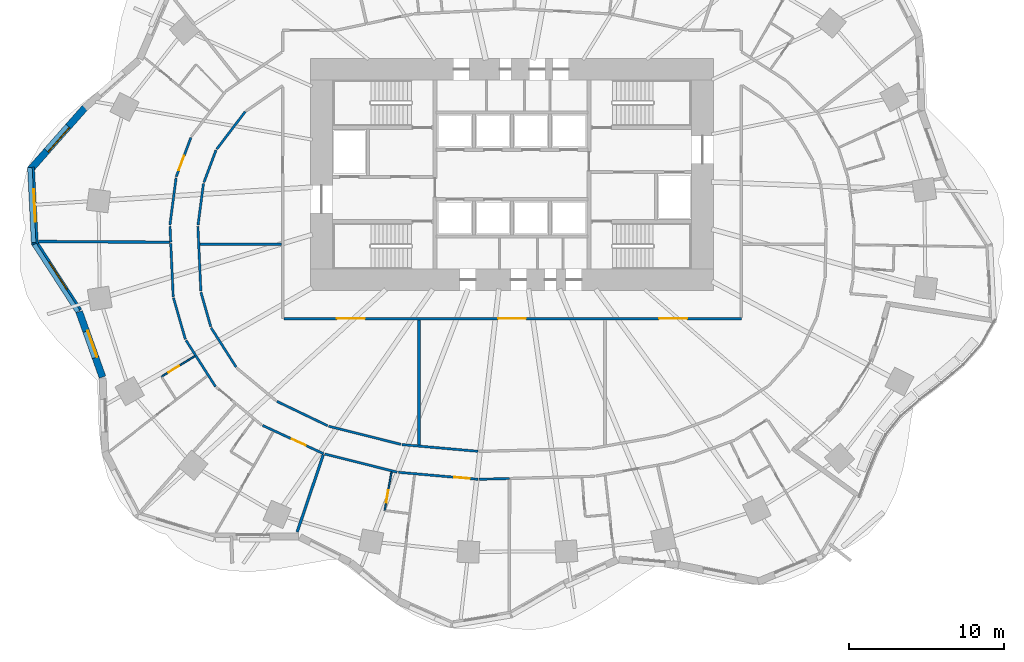
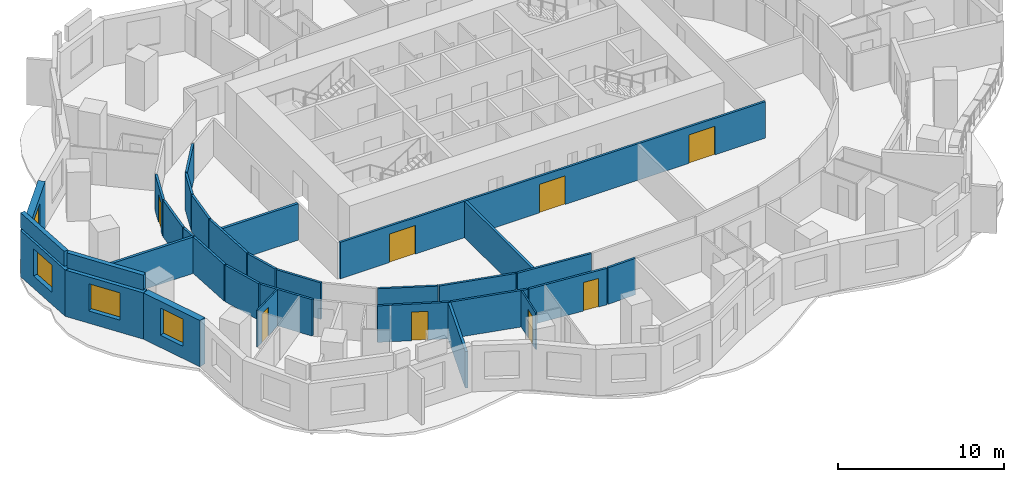
# One storey, part 5 of 14: 32 walls, 8 doors, 4 windows, 12 openings.
"""IFC4 building model written with IfcOpenShell, lengths in metres."""

from ifc_helpers import new_model, si_unit, direction, frame, frame_2d, origin, place, context, subcontext, project, spatial, rectangle, extrude, material, layer, layer_set, type_object, element, fill, save


model = new_model("IFC4")

# Units and contexts
model_context = context("Model", 3, precision=1e-05, world=origin(), true_north=direction((0.0, 1.0)))
body_context = subcontext(model_context, "Body", "Model", "MODEL_VIEW")
ifc_project = project(units=[si_unit("LENGTHUNIT", "METRE"), si_unit("AREAUNIT", "SQUARE_METRE"), si_unit("VOLUMEUNIT", "CUBIC_METRE"), si_unit("PLANEANGLEUNIT", "RADIAN"), si_unit("MASSUNIT", "GRAM", prefix="KILO")], contexts=[model_context])

# Site, building, storey
site_placement = place(None, origin())
site = spatial("IfcSite", under=ifc_project, at=site_placement, CompositionType="ELEMENT")
building_placement = place(site_placement, origin())
building = spatial("IfcBuilding", under=site, at=building_placement, Name="Rubra Terraces Tower", CompositionType="ELEMENT")
storey_placement = place(building_placement, frame((0.0, 0.0, 62.699951171875)))
storey = spatial("IfcBuildingStorey", under=building, at=storey_placement, Name="L13", CompositionType="ELEMENT", Elevation=62.699951171875)

# Walls
ifc_material_1 = material(Name="Twin plasterboard on staggered steel stud, acoustic mineral wool", Category="steel")
ifc_layer_1 = layer(ifc_material_1, 0.175048828125)
ifc_layer_set_1 = layer_set([ifc_layer_1], Name="Twin plasterboard on staggered steel stud, acoustic mineral wool")
wall_type_1 = type_object("IfcWallType", Name="ACOUSTIC PARTY WALL 175", PredefinedType="PARTITIONING", material=ifc_layer_set_1)
wall_1_placement = place(storey_placement, frame((-30.5712890625, 0.17578125, 0.0), z_axis=(0.0, 0.0, 1.0), x_axis=(0.999984039808, -0.005649790199, 0.0)))
element("IfcWall", 1, at=wall_1_placement, inside=storey, type_object=wall_type_1, Name="PARTITION", PredefinedType="PARTITIONING", context=body_context, shape_type="SweptSolid", body=[
    extrude(rectangle(XDim=8.4697265625, YDim=0.175048828125, at=frame_2d((4.23486328125, 0.0))), origin(), (0.0, 0.0, 1.0), 2.679931640625),
])
wall_2_placement = place(storey_placement, frame((-13.86279296875, -18.57177734375, 0.0), z_axis=(0.0, 0.0, 1.0), x_axis=(0.32028005449, 0.947322905189, 0.0)))
element("IfcWall", 2, at=wall_2_placement, inside=storey, type_object=wall_type_1, Name="PARTITION", PredefinedType="PARTITIONING", context=body_context, shape_type="SweptSolid", body=[
    extrude(rectangle(XDim=5.255859375, YDim=0.175048828125, at=frame_2d((2.6279296875, 0.0))), origin(), (0.0, 0.0, 1.0), 2.679931640625),
])
wall_3_placement = place(storey_placement, frame((-6.0, -12.9541015625, 0.0), z_axis=(0.0, 0.0, 1.0), x_axis=(0.0, 1.0, 0.0)))
element("IfcWall", 3, at=wall_3_placement, inside=storey, type_object=wall_type_1, Name="PARTITION", PredefinedType="PARTITIONING", context=body_context, shape_type="SweptSolid", body=[
    extrude(rectangle(XDim=8.0791015625, YDim=0.175048828125, at=frame_2d((4.03955078125, 0.0))), origin(), (0.0, 0.0, 1.0), 2.679931640625),
])
wall_4_placement = place(storey_placement, frame((-20.14404296875, 0.0, 0.0), z_axis=(0.0, 0.0, 1.0), x_axis=(1.0, 0.0, 0.0)))
element("IfcWall", 4, at=wall_4_placement, inside=storey, type_object=wall_type_1, Name="PARTITION", PredefinedType="PARTITIONING", context=body_context, shape_type="SweptSolid", body=[
    extrude(rectangle(XDim=5.26904296875, YDim=0.175048828125, at=frame_2d((2.634521484375, 0.0))), origin(), (0.0, 0.0, 1.0), 2.679931640625),
])

# Wall, opening, window
ifc_material_2 = material(Name="Brick masonry red-brown", Category="masonry")
ifc_layer_2 = layer(ifc_material_2, 0.449951171875)
ifc_layer_set_2 = layer_set([ifc_layer_2], Name="Brick masonry red-brown")
wall_type_2 = type_object("IfcWallType", Name="Brick facade wall 450", PredefinedType="SOLIDWALL", material=ifc_layer_set_2)
wall_5_placement = place(storey_placement, frame((-27.560791015625, 8.81005859375, 0.0), z_axis=(0.0, 0.0, 1.0), x_axis=(-0.661706312809, -0.749763132989, 0.0)))
wall_5 = element("IfcWall", 5, at=wall_5_placement, inside=storey, type_object=wall_type_2, Name="Facade wall L13 bay 19", PredefinedType="SOLIDWALL", context=body_context, shape_type="SweptSolid", body=[
    extrude(rectangle(XDim=5.33984375, YDim=0.449951171875, at=frame_2d((2.669921875, 0.0))), origin(), (0.0, 0.0, 1.0), 3.400146484375),
])
opening_1_placement = place(wall_5_placement, frame((1.619873046875, 0.0, 0.89990234375)))
opening_1 = element("IfcOpeningElement", 6, at=opening_1_placement, cuts=wall_5, Name="Opening W1", PredefinedType="OPENING", context=body_context, shape_type="SweptSolid", body=[
    extrude(rectangle(XDim=2.10009765625, YDim=2.0, at=frame_2d((1.050048828125, 1.0))), frame((0.0, 0.23486328125, 0.0), z_axis=(0.0, -1.0, 0.0), x_axis=(1.0, 0.0, 0.0)), (0.0, 0.0, 1.0), 0.469970703125),
])
ifc_material_3 = material(Name="Clear glass in aluminium frame", Category="aluminium")
window_type_1 = type_object("IfcWindowType", Name="Fixed deep-set window 2100 x 2000", PartitioningType="SINGLE_PANEL", PredefinedType="WINDOW", material=ifc_material_3)
window_1_placement = place(opening_1_placement, origin())
window_1 = element("IfcWindow", 7, at=window_1_placement, inside=storey, type_object=window_type_1, Name="Window L13 bay 19", OverallHeight=2.0, OverallWidth=2.10009765625, PartitioningType="SINGLE_PANEL", PredefinedType="WINDOW", context=body_context, shape_type="SweptSolid", body=[
    extrude(rectangle(XDim=2.10009765625, YDim=2.0, at=frame_2d((1.050048828125, 1.0))), frame((0.0, 0.135009765625, 0.0), z_axis=(0.0, -1.0, 0.0), x_axis=(1.0, 0.0, 0.0)), (0.0, 0.0, 1.0), 0.06005859375),
])
fill(opening_1, window_1)

wall_6_placement = place(storey_placement, frame((-31.041259765625, 4.96337890625, 0.0), z_axis=(0.0, 0.0, 1.0), x_axis=(0.050222481563, -0.99873805492, 0.0)))
wall_6 = element("IfcWall", 8, at=wall_6_placement, inside=storey, type_object=wall_type_2, Name="Facade wall L13 bay 20", PredefinedType="SOLIDWALL", context=body_context, shape_type="SweptSolid", body=[
    extrude(rectangle(XDim=4.95849609375, YDim=0.449951171875, at=frame_2d((2.479248046875, 0.0))), origin(), (0.0, 0.0, 1.0), 3.400146484375),
])
opening_2_placement = place(wall_6_placement, frame((1.42919921875, 0.0, 0.89990234375)))
opening_2 = element("IfcOpeningElement", 9, at=opening_2_placement, cuts=wall_6, Name="Opening W1", PredefinedType="OPENING", context=body_context, shape_type="SweptSolid", body=[
    extrude(rectangle(XDim=2.10009765625, YDim=2.0, at=frame_2d((1.050048828125, 1.0))), frame((0.0, 0.23486328125, 0.0), z_axis=(0.0, -1.0, 0.0), x_axis=(1.0, 0.0, 0.0)), (0.0, 0.0, 1.0), 0.469970703125),
])
window_2_placement = place(opening_2_placement, origin())
window_2 = element("IfcWindow", 10, at=window_2_placement, inside=storey, type_object=window_type_1, Name="Window L13 bay 20", OverallHeight=2.0, OverallWidth=2.10009765625, PartitioningType="SINGLE_PANEL", PredefinedType="WINDOW", context=body_context, shape_type="SweptSolid", body=[
    extrude(rectangle(XDim=2.10009765625, YDim=2.0, at=frame_2d((1.050048828125, 1.0))), frame((0.0, 0.135009765625, 0.0), z_axis=(0.0, -1.0, 0.0), x_axis=(1.0, 0.0, 0.0)), (0.0, 0.0, 1.0), 0.06005859375),
])
fill(opening_2, window_2)

wall_7_placement = place(storey_placement, frame((-30.8251953125, 0.117431640625, 0.0), z_axis=(0.0, 0.0, 1.0), x_axis=(0.543975629516, -0.839101015666, 0.0)))
wall_7 = element("IfcWall", 11, at=wall_7_placement, inside=storey, type_object=wall_type_2, Name="Facade wall L13 bay 21", PredefinedType="SOLIDWALL", context=body_context, shape_type="SweptSolid", body=[
    extrude(rectangle(XDim=5.281005859375, YDim=0.449951171875, at=frame_2d((2.640625, 0.0))), origin(), (0.0, 0.0, 1.0), 3.400146484375),
])
opening_3_placement = place(wall_7_placement, frame((1.590576171875, 0.0, 0.89990234375)))
opening_3 = element("IfcOpeningElement", 12, at=opening_3_placement, cuts=wall_7, Name="Opening W1", PredefinedType="OPENING", context=body_context, shape_type="SweptSolid", body=[
    extrude(rectangle(XDim=2.10009765625, YDim=2.0, at=frame_2d((1.050048828125, 1.0))), frame((0.0, 0.23486328125, 0.0), z_axis=(0.0, -1.0, 0.0), x_axis=(1.0, 0.0, 0.0)), (0.0, 0.0, 1.0), 0.469970703125),
])
window_3_placement = place(opening_3_placement, origin())
window_3 = element("IfcWindow", 13, at=window_3_placement, inside=storey, type_object=window_type_1, Name="Window L13 bay 21", OverallHeight=2.0, OverallWidth=2.10009765625, PartitioningType="SINGLE_PANEL", PredefinedType="WINDOW", context=body_context, shape_type="SweptSolid", body=[
    extrude(rectangle(XDim=2.10009765625, YDim=2.0, at=frame_2d((1.050048828125, 1.0))), frame((0.0, 0.135009765625, 0.0), z_axis=(0.0, -1.0, 0.0), x_axis=(1.0, 0.0, 0.0)), (0.0, 0.0, 1.0), 0.06005859375),
])
fill(opening_3, window_3)

wall_8_placement = place(storey_placement, frame((-27.9326171875, -4.35595703125, 0.0), z_axis=(0.0, 0.0, 1.0), x_axis=(0.335746005454, -0.941952557097, 0.0)))
wall_8 = element("IfcWall", 14, at=wall_8_placement, inside=storey, type_object=wall_type_2, Name="Facade wall L13 bay 22", PredefinedType="SOLIDWALL", context=body_context, shape_type="SweptSolid", body=[
    extrude(rectangle(XDim=4.47998046875, YDim=0.449951171875, at=frame_2d((2.239990234375, 0.0))), origin(), (0.0, 0.0, 1.0), 3.400146484375),
])
opening_4_placement = place(wall_8_placement, frame((1.340087890625, 0.0, 0.89990234375)))
opening_4 = element("IfcOpeningElement", 15, at=opening_4_placement, cuts=wall_8, Name="Opening W6", PredefinedType="OPENING", context=body_context, shape_type="SweptSolid", body=[
    extrude(rectangle(XDim=1.800048828125, YDim=2.0, at=frame_2d((0.89990234375, 1.0))), frame((0.0, 0.23486328125, 0.0), z_axis=(0.0, -1.0, 0.0), x_axis=(1.0, 0.0, 0.0)), (0.0, 0.0, 1.0), 0.469970703125),
])
window_type_2 = type_object("IfcWindowType", Name="Fixed deep-set window at wind fin 1800 x 2000", PartitioningType="SINGLE_PANEL", PredefinedType="WINDOW", material=ifc_material_3)
window_4_placement = place(opening_4_placement, origin())
window_4 = element("IfcWindow", 16, at=window_4_placement, inside=storey, type_object=window_type_2, Name="Window L13 bay 22", OverallHeight=2.0, OverallWidth=1.800048828125, PartitioningType="SINGLE_PANEL", PredefinedType="WINDOW", context=body_context, shape_type="SweptSolid", body=[
    extrude(rectangle(XDim=1.800048828125, YDim=2.0, at=frame_2d((0.89990234375, 1.0))), frame((0.0, 0.135009765625, 0.0), z_axis=(0.0, -1.0, 0.0), x_axis=(1.0, 0.0, 0.0)), (0.0, 0.0, 1.0), 0.06005859375),
])
fill(opening_4, window_4)

# Walls
ifc_layer_3 = layer(ifc_material_2, 0.300048828125)
ifc_layer_set_3 = layer_set([ifc_layer_3], Name="Brick masonry red-brown")
wall_type_3 = type_object("IfcWallType", Name="Brick parapet 300", PredefinedType="PARAPET", material=ifc_layer_set_3)
wall_9_placement = place(storey_placement, frame((-31.1162109375, 4.95947265625, 3.60009765625), z_axis=(0.0, 0.0, 1.0), x_axis=(0.05021140618, -0.998738611795, 0.0)))
element("IfcWall", 17, at=wall_9_placement, inside=storey, type_object=wall_type_3, Name="Parapet L13 bay 20", PredefinedType="PARAPET", context=body_context, shape_type="SweptSolid", body=[
    extrude(rectangle(XDim=4.84765625, YDim=0.300048828125, at=frame_2d((2.423828125, 0.0))), origin(), (0.0, 0.0, 1.0), 1.099853515625),
])
wall_10_placement = place(storey_placement, frame((-30.8310546875, -0.01123046875, 3.60009765625), z_axis=(0.0, 0.0, 1.0), x_axis=(0.543918219167, -0.839138231079, 0.0)))
element("IfcWall", 18, at=wall_10_placement, inside=storey, type_object=wall_type_3, Name="Parapet L13 bay 21", PredefinedType="PARAPET", context=body_context, shape_type="SweptSolid", body=[
    extrude(rectangle(XDim=5.17431640625, YDim=0.300048828125, at=frame_2d((2.587158203125, 0.0))), origin(), (0.0, 0.0, 1.0), 1.099853515625),
])

# Wall, opening, door
ifc_material_4 = material(Name="Plasterboard on steel stud, mineral wool infill", Category="steel")
ifc_layer_4 = layer(ifc_material_4, 0.14990234375)
ifc_layer_set_4 = layer_set([ifc_layer_4], Name="Plasterboard on steel stud, mineral wool infill")
wall_type_4 = type_object("IfcWallType", Name="CORRIDOR PARTITION 150", PredefinedType="PARTITIONING", material=ifc_layer_set_4)
wall_11_placement = place(storey_placement, frame((-20.719970703125, 6.884521484375, 0.0), z_axis=(0.0, 0.0, 1.0), x_axis=(-0.351520142875, -0.936180318717, 0.0)))
wall_11 = element("IfcWall", 19, at=wall_11_placement, inside=storey, type_object=wall_type_4, Name="PARTITION", PredefinedType="PARTITIONING", context=body_context, shape_type="SweptSolid", body=[
    extrude(rectangle(XDim=2.697509765625, YDim=0.14990234375, at=frame_2d((1.3486328125, 0.0))), origin(), (0.0, 0.0, 1.0), 2.679931640625),
])
opening_5_placement = place(wall_11_placement, frame((1.25, 0.0, 0.0)))
opening_5 = element("IfcOpeningElement", 20, at=opening_5_placement, cuts=wall_11, Name="Opening 13-113", PredefinedType="OPENING", context=body_context, shape_type="SweptSolid", body=[
    extrude(rectangle(XDim=1.0, YDim=2.10009765625, at=frame_2d((0.5, 1.050048828125))), frame((0.0, 0.0849609375, 0.0), z_axis=(0.0, -1.0, 0.0), x_axis=(1.0, 0.0, 0.0)), (0.0, 0.0, 1.0), 0.169921875),
])
ifc_material_5 = material(Name="Painted timber door leaf", Category="wood")
door_type_1 = type_object("IfcDoorType", Name="ROOM DOOR 1000 X 2100", OperationType="SINGLE_SWING_LEFT", PredefinedType="DOOR", material=ifc_material_5)
door_1_placement = place(opening_5_placement, origin())
door_1 = element("IfcDoor", 21, at=door_1_placement, inside=storey, type_object=door_type_1, Name="DOOR 13-113", OperationType="SINGLE_SWING_RIGHT", OverallHeight=2.10009765625, OverallWidth=1.0, PredefinedType="DOOR", context=body_context, shape_type="SweptSolid", body=[
    extrude(rectangle(XDim=1.0, YDim=2.10009765625, at=frame_2d((0.5, 1.050048828125))), frame((0.0, 0.02490234375, 0.0), z_axis=(0.0, -1.0, 0.0), x_axis=(1.0, 0.0, 0.0)), (0.0, 0.0, 1.0), 0.050048828125),
])
fill(opening_5, door_1)

# Walls
wall_12_placement = place(storey_placement, frame((-21.677978515625, 4.28466796875, 0.0), z_axis=(0.0, 0.0, 1.0), x_axis=(-0.129922755307, -0.991524118543, 0.0)))
element("IfcWall", 22, at=wall_12_placement, inside=storey, type_object=wall_type_4, Name="PARTITION", PredefinedType="PARTITIONING", context=body_context, shape_type="SweptSolid", body=[
    extrude(rectangle(XDim=3.076171875, YDim=0.14990234375, at=frame_2d((1.5380859375, 0.0))), origin(), (0.0, 0.0, 1.0), 2.679931640625),
])
wall_13_placement = place(storey_placement, frame((-22.07421875, 1.159912109375, 0.0), z_axis=(0.0, 0.0, 1.0), x_axis=(0.045825536747, -0.998949458272, 0.0)))
element("IfcWall", 23, at=wall_13_placement, inside=storey, type_object=wall_type_4, Name="PARTITION", PredefinedType="PARTITIONING", context=body_context, shape_type="SweptSolid", body=[
    extrude(rectangle(XDim=1.033447265625, YDim=0.14990234375, at=frame_2d((0.5166015625, 0.0))), origin(), (0.0, 0.0, 1.0), 2.679931640625),
])
wall_14_placement = place(storey_placement, frame((-22.0234375, 0.052490234375, 0.0), z_axis=(0.0, 0.0, 1.0), x_axis=(0.045873278226, -0.998947267049, 0.0)))
element("IfcWall", 24, at=wall_14_placement, inside=storey, type_object=wall_type_4, Name="PARTITION", PredefinedType="PARTITIONING", context=body_context, shape_type="SweptSolid", body=[
    extrude(rectangle(XDim=3.44873046875, YDim=0.14990234375, at=frame_2d((1.724365234375, 0.0))), origin(), (0.0, 0.0, 1.0), 2.679931640625),
])
wall_15_placement = place(storey_placement, frame((-21.8447265625, -3.46484375, 0.0), z_axis=(0.0, 0.0, 1.0), x_axis=(0.27482553005, -0.961494112323, 0.0)))
element("IfcWall", 25, at=wall_15_placement, inside=storey, type_object=wall_type_4, Name="PARTITION", PredefinedType="PARTITIONING", context=body_context, shape_type="SweptSolid", body=[
    extrude(rectangle(XDim=2.779541015625, YDim=0.14990234375, at=frame_2d((1.3896484375, 0.0))), origin(), (0.0, 0.0, 1.0), 2.679931640625),
])
wall_16_placement = place(storey_placement, frame((-21.04052734375, -6.20068359375, 0.0), z_axis=(0.0, 0.0, 1.0), x_axis=(0.537680823918, -0.843148463552, 0.0)))
element("IfcWall", 26, at=wall_16_placement, inside=storey, type_object=wall_type_4, Name="PARTITION", PredefinedType="PARTITIONING", context=body_context, shape_type="SweptSolid", body=[
    extrude(rectangle(XDim=3.54931640625, YDim=0.14990234375, at=frame_2d((1.774658203125, 0.0))), origin(), (0.0, 0.0, 1.0), 2.679931640625),
])

# Wall, opening, door
wall_17_placement = place(storey_placement, frame((-16.09375, -11.695556640625, 0.0), z_axis=(0.0, 0.0, 1.0), x_axis=(0.907210631987, -0.420676680135, 0.0)))
wall_17 = element("IfcWall", 27, at=wall_17_placement, inside=storey, type_object=wall_type_4, Name="PARTITION", PredefinedType="PARTITIONING", context=body_context, shape_type="SweptSolid", body=[
    extrude(rectangle(XDim=4.341064453125, YDim=0.14990234375, at=frame_2d((2.17041015625, 0.0))), origin(), (0.0, 0.0, 1.0), 2.679931640625),
])
opening_6_placement = place(wall_17_placement, frame((2.072021484375, 0.0, 0.0)))
opening_6 = element("IfcOpeningElement", 28, at=opening_6_placement, cuts=wall_17, Name="Opening 13-119", PredefinedType="OPENING", context=body_context, shape_type="SweptSolid", body=[
    extrude(rectangle(XDim=1.0, YDim=2.10009765625, at=frame_2d((0.5, 1.050048828125))), frame((0.0, 0.0849609375, 0.0), z_axis=(0.0, -1.0, 0.0), x_axis=(1.0, 0.0, 0.0)), (0.0, 0.0, 1.0), 0.169921875),
])
door_2_placement = place(opening_6_placement, origin())
door_2 = element("IfcDoor", 29, at=door_2_placement, inside=storey, type_object=door_type_1, Name="DOOR 13-119", OperationType="SINGLE_SWING_RIGHT", OverallHeight=2.10009765625, OverallWidth=1.0, PredefinedType="DOOR", context=body_context, shape_type="SweptSolid", body=[
    extrude(rectangle(XDim=1.0, YDim=2.10009765625, at=frame_2d((0.5, 1.050048828125))), frame((0.0, 0.02490234375, 0.0), z_axis=(0.0, -1.0, 0.0), x_axis=(1.0, 0.0, 0.0)), (0.0, 0.0, 1.0), 0.050048828125),
])
fill(opening_6, door_2)

# Wall
wall_18_placement = place(storey_placement, frame((-12.082763671875, -13.539794921875, 0.0), z_axis=(0.0, 0.0, 1.0), x_axis=(0.969981460173, -0.243178878443, 0.0)))
element("IfcWall", 30, at=wall_18_placement, inside=storey, type_object=wall_type_4, Name="PARTITION", PredefinedType="PARTITIONING", context=body_context, shape_type="SweptSolid", body=[
    extrude(rectangle(XDim=4.822021484375, YDim=0.14990234375, at=frame_2d((2.4111328125, 0.0))), origin(), (0.0, 0.0, 1.0), 2.679931640625),
])

# Wall, opening, door
wall_19_placement = place(storey_placement, frame((-7.330810546875, -14.718994140625, 0.0), z_axis=(0.0, 0.0, 1.0), x_axis=(0.996139466017, -0.087784760882, 0.0)))
wall_19 = element("IfcWall", 31, at=wall_19_placement, inside=storey, type_object=wall_type_4, Name="PARTITION", PredefinedType="PARTITIONING", context=body_context, shape_type="SweptSolid", body=[
    extrude(rectangle(XDim=5.161865234375, YDim=0.14990234375, at=frame_2d((2.5810546875, 0.0))), origin(), (0.0, 0.0, 1.0), 2.679931640625),
])
opening_7_placement = place(wall_19_placement, frame((3.6220703125, 0.0, 0.0)))
opening_7 = element("IfcOpeningElement", 32, at=opening_7_placement, cuts=wall_19, Name="Opening 13-122", PredefinedType="OPENING", context=body_context, shape_type="SweptSolid", body=[
    extrude(rectangle(XDim=1.0, YDim=2.10009765625, at=frame_2d((0.5, 1.050048828125))), frame((0.0, 0.0849609375, 0.0), z_axis=(0.0, -1.0, 0.0), x_axis=(1.0, 0.0, 0.0)), (0.0, 0.0, 1.0), 0.169921875),
])
door_3_placement = place(opening_7_placement, origin())
door_3 = element("IfcDoor", 33, at=door_3_placement, inside=storey, type_object=door_type_1, Name="DOOR 13-122", OperationType="SINGLE_SWING_RIGHT", OverallHeight=2.10009765625, OverallWidth=1.0, PredefinedType="DOOR", context=body_context, shape_type="SweptSolid", body=[
    extrude(rectangle(XDim=1.0, YDim=2.10009765625, at=frame_2d((0.5, 1.050048828125))), frame((0.0, 0.02490234375, 0.0), z_axis=(0.0, -1.0, 0.0), x_axis=(1.0, 0.0, 0.0)), (0.0, 0.0, 1.0), 0.050048828125),
])
fill(opening_7, door_3)

# Walls
wall_20_placement = place(storey_placement, frame((-2.114013671875, -15.170166015625, 0.0), z_axis=(0.0, 0.0, 1.0), x_axis=(0.999660986361, 0.026036749958, 0.0)))
element("IfcWall", 34, at=wall_20_placement, inside=storey, type_object=wall_type_4, Name="PARTITION", PredefinedType="PARTITIONING", context=body_context, shape_type="SweptSolid", body=[
    extrude(rectangle(XDim=1.950439453125, YDim=0.14990234375, at=frame_2d((0.97509765625, 0.0))), origin(), (0.0, 0.0, 1.0), 2.679931640625),
])
wall_21_placement = place(storey_placement, frame((-2.207763671875, -13.363525390625, 0.0), z_axis=(0.0, 0.0, 1.0), x_axis=(-0.996134962793, 0.087835846335, 0.0)))
element("IfcWall", 35, at=wall_21_placement, inside=storey, type_object=wall_type_4, Name="PARTITION", PredefinedType="PARTITIONING", context=body_context, shape_type="SweptSolid", body=[
    extrude(rectangle(XDim=4.9169921875, YDim=0.14990234375, at=frame_2d((2.45849609375, 0.0))), origin(), (0.0, 0.0, 1.0), 2.679931640625),
])
wall_22_placement = place(storey_placement, frame((-7.178466796875, -12.91357421875, 0.0), z_axis=(0.0, 0.0, 1.0), x_axis=(-0.969983523639, 0.243170647628, 0.0)))
element("IfcWall", 36, at=wall_22_placement, inside=storey, type_object=wall_type_4, Name="PARTITION", PredefinedType="PARTITIONING", context=body_context, shape_type="SweptSolid", body=[
    extrude(rectangle(XDim=4.7939453125, YDim=0.14990234375, at=frame_2d((2.39697265625, 0.0))), origin(), (0.0, 0.0, 1.0), 2.679931640625),
])
wall_23_placement = place(storey_placement, frame((-11.896240234375, -11.71533203125, 0.0), z_axis=(0.0, 0.0, 1.0), x_axis=(-0.901466605799, 0.432848655571, 0.0)))
element("IfcWall", 37, at=wall_23_placement, inside=storey, type_object=wall_type_4, Name="PARTITION", PredefinedType="PARTITIONING", context=body_context, shape_type="SweptSolid", body=[
    extrude(rectangle(XDim=3.644775390625, YDim=0.14990234375, at=frame_2d((1.822265625, 0.0))), origin(), (0.0, 0.0, 1.0), 2.679931640625),
])
wall_24_placement = place(storey_placement, frame((-17.805419921875, -7.925537109375, 0.0), z_axis=(0.0, 0.0, 1.0), x_axis=(-0.537721158465, 0.843122740613, 0.0)))
element("IfcWall", 38, at=wall_24_placement, inside=storey, type_object=wall_type_4, Name="PARTITION", PredefinedType="PARTITIONING", context=body_context, shape_type="SweptSolid", body=[
    extrude(rectangle(XDim=3.006591796875, YDim=0.14990234375, at=frame_2d((1.50341796875, 0.0))), origin(), (0.0, 0.0, 1.0), 2.679931640625),
])
wall_25_placement = place(storey_placement, frame((-19.44287109375, -5.318603515625, 0.0), z_axis=(0.0, 0.0, 1.0), x_axis=(-0.274791002319, 0.961503980774, 0.0)))
element("IfcWall", 39, at=wall_25_placement, inside=storey, type_object=wall_type_4, Name="PARTITION", PredefinedType="PARTITIONING", context=body_context, shape_type="SweptSolid", body=[
    extrude(rectangle(XDim=2.307373046875, YDim=0.14990234375, at=frame_2d((1.15380859375, 0.0))), origin(), (0.0, 0.0, 1.0), 2.679931640625),
])
wall_26_placement = place(storey_placement, frame((-20.080322265625, -3.025390625, 0.0), z_axis=(0.0, 0.0, 1.0), x_axis=(-0.04581750387, 0.998949826738, 0.0)))
element("IfcWall", 40, at=wall_26_placement, inside=storey, type_object=wall_type_4, Name="PARTITION", PredefinedType="PARTITIONING", context=body_context, shape_type="SweptSolid", body=[
    extrude(rectangle(XDim=4.188232421875, YDim=0.14990234375, at=frame_2d((2.09423828125, 0.0))), origin(), (0.0, 0.0, 1.0), 2.679931640625),
])
wall_27_placement = place(storey_placement, frame((-20.262451171875, 1.23291015625, 0.0), z_axis=(0.0, 0.0, 1.0), x_axis=(0.129897568593, 0.991527418518, 0.0)))
element("IfcWall", 41, at=wall_27_placement, inside=storey, type_object=wall_type_4, Name="PARTITION", PredefinedType="PARTITIONING", context=body_context, shape_type="SweptSolid", body=[
    extrude(rectangle(XDim=2.710205078125, YDim=0.14990234375, at=frame_2d((1.35498046875, 0.0))), origin(), (0.0, 0.0, 1.0), 2.679931640625),
])
wall_28_placement = place(storey_placement, frame((-19.8837890625, 3.990234375, 0.0), z_axis=(0.0, 0.0, 1.0), x_axis=(0.351423736928, 0.936216511884, 0.0)))
element("IfcWall", 42, at=wall_28_placement, inside=storey, type_object=wall_type_4, Name="PARTITION", PredefinedType="PARTITIONING", context=body_context, shape_type="SweptSolid", body=[
    extrude(rectangle(XDim=2.227294921875, YDim=0.14990234375, at=frame_2d((1.11376953125, 0.0))), origin(), (0.0, 0.0, 1.0), 2.679931640625),
])
wall_29_placement = place(storey_placement, frame((-19.0556640625, 6.135009765625, 0.0), z_axis=(0.0, 0.0, 1.0), x_axis=(0.604999774258, 0.796225642107, 0.0)))
element("IfcWall", 43, at=wall_29_placement, inside=storey, type_object=wall_type_4, Name="PARTITION", PredefinedType="PARTITIONING", context=body_context, shape_type="SweptSolid", body=[
    extrude(rectangle(XDim=3.039794921875, YDim=0.14990234375, at=frame_2d((1.52001953125, 0.0))), origin(), (0.0, 0.0, 1.0), 2.679931640625),
])

# Wall, openings, doors
wall_30_placement = place(storey_placement, frame((-14.72509765625, -4.800048828125, 0.0), z_axis=(0.0, 0.0, 1.0), x_axis=(1.0, 0.0, 0.0)))
wall_30 = element("IfcWall", 44, at=wall_30_placement, inside=storey, type_object=wall_type_4, Name="PARTITION", PredefinedType="PARTITIONING", context=body_context, shape_type="SweptSolid", body=[
    extrude(rectangle(XDim=29.525146484375, YDim=0.14990234375, at=frame_2d((14.7626953125, 0.0))), origin(), (0.0, 0.0, 1.0), 2.679931640625),
])
opening_8_placement = place(wall_30_placement, frame((3.425048828125, 0.0, 0.0)))
opening_8 = element("IfcOpeningElement", 45, at=opening_8_placement, cuts=wall_30, Name="Opening 13-136", PredefinedType="OPENING", context=body_context, shape_type="SweptSolid", body=[
    extrude(rectangle(XDim=1.800048828125, YDim=2.10009765625, at=frame_2d((0.89990234375, 1.050048828125))), frame((0.0, 0.0849609375, 0.0), z_axis=(0.0, -1.0, 0.0), x_axis=(1.0, 0.0, 0.0)), (0.0, 0.0, 1.0), 0.169921875),
])
opening_9_placement = place(wall_30_placement, frame((13.824951171875, 0.0, 0.0)))
opening_9 = element("IfcOpeningElement", 46, at=opening_9_placement, cuts=wall_30, Name="Opening 13-137", PredefinedType="OPENING", context=body_context, shape_type="SweptSolid", body=[
    extrude(rectangle(XDim=1.800048828125, YDim=2.10009765625, at=frame_2d((0.89990234375, 1.050048828125))), frame((0.0, 0.0849609375, 0.0), z_axis=(0.0, -1.0, 0.0), x_axis=(1.0, 0.0, 0.0)), (0.0, 0.0, 1.0), 0.169921875),
])
opening_10_placement = place(wall_30_placement, frame((24.22509765625, 0.0, 0.0)))
opening_10 = element("IfcOpeningElement", 47, at=opening_10_placement, cuts=wall_30, Name="Opening 13-138", PredefinedType="OPENING", context=body_context, shape_type="SweptSolid", body=[
    extrude(rectangle(XDim=1.800048828125, YDim=2.10009765625, at=frame_2d((0.89990234375, 1.050048828125))), frame((0.0, 0.0849609375, 0.0), z_axis=(0.0, -1.0, 0.0), x_axis=(1.0, 0.0, 0.0)), (0.0, 0.0, 1.0), 0.169921875),
])
ifc_material_6 = material(Name="Painted timber door leaf, double", Category="wood")
door_type_2 = type_object("IfcDoorType", Name="ROOM DOUBLE DOOR 1800 X 2100", OperationType="DOUBLE_DOOR_SINGLE_SWING", PredefinedType="DOOR", material=ifc_material_6)
door_4_placement = place(opening_8_placement, origin())
door_4 = element("IfcDoor", 48, at=door_4_placement, inside=storey, type_object=door_type_2, Name="DOOR 13-136", OperationType="DOUBLE_DOOR_SINGLE_SWING", OverallHeight=2.10009765625, OverallWidth=1.800048828125, PredefinedType="DOOR", context=body_context, shape_type="SweptSolid", body=[
    extrude(rectangle(XDim=1.800048828125, YDim=2.10009765625, at=frame_2d((0.89990234375, 1.050048828125))), frame((0.0, 0.02490234375, 0.0), z_axis=(0.0, -1.0, 0.0), x_axis=(1.0, 0.0, 0.0)), (0.0, 0.0, 1.0), 0.050048828125),
])
fill(opening_8, door_4)
door_5_placement = place(opening_9_placement, origin())
door_5 = element("IfcDoor", 49, at=door_5_placement, inside=storey, type_object=door_type_2, Name="DOOR 13-137", OperationType="DOUBLE_DOOR_SINGLE_SWING", OverallHeight=2.10009765625, OverallWidth=1.800048828125, PredefinedType="DOOR", context=body_context, shape_type="SweptSolid", body=[
    extrude(rectangle(XDim=1.800048828125, YDim=2.10009765625, at=frame_2d((0.89990234375, 1.050048828125))), frame((0.0, 0.02490234375, 0.0), z_axis=(0.0, -1.0, 0.0), x_axis=(1.0, 0.0, 0.0)), (0.0, 0.0, 1.0), 0.050048828125),
])
fill(opening_9, door_5)
door_6_placement = place(opening_10_placement, origin())
door_6 = element("IfcDoor", 50, at=door_6_placement, inside=storey, type_object=door_type_2, Name="DOOR 13-138", OperationType="DOUBLE_DOOR_SINGLE_SWING", OverallHeight=2.10009765625, OverallWidth=1.800048828125, PredefinedType="DOOR", context=body_context, shape_type="SweptSolid", body=[
    extrude(rectangle(XDim=1.800048828125, YDim=2.10009765625, at=frame_2d((0.89990234375, 1.050048828125))), frame((0.0, 0.02490234375, 0.0), z_axis=(0.0, -1.0, 0.0), x_axis=(1.0, 0.0, 0.0)), (0.0, 0.0, 1.0), 0.050048828125),
])
fill(opening_10, door_6)

# Wall, opening, door
ifc_material_7 = material(Name="Plasterboard on steel stud", Category="steel")
ifc_layer_5 = layer(ifc_material_7, 0.10009765625)
ifc_layer_set_5 = layer_set([ifc_layer_5], Name="Plasterboard on steel stud")
wall_type_5 = type_object("IfcWallType", Name="ROOM PARTITION 100", PredefinedType="PARTITIONING", material=ifc_layer_set_5)
wall_31_placement = place(storey_placement, frame((-20.4755859375, -7.225830078125, 0.0), z_axis=(0.0, 0.0, 1.0), x_axis=(-0.851263013201, -0.524739251777, 0.0)))
wall_31 = element("IfcWall", 51, at=wall_31_placement, inside=storey, type_object=wall_type_5, Name="PARTITION", PredefinedType="PARTITIONING", context=body_context, shape_type="SweptSolid", body=[
    extrude(rectangle(XDim=2.52490234375, YDim=0.10009765625, at=frame_2d((1.262451171875, 0.0))), origin(), (0.0, 0.0, 1.0), 2.679931640625),
])
opening_11_placement = place(wall_31_placement, frame((1.199951171875, 0.0, 0.0)))
opening_11 = element("IfcOpeningElement", 52, at=opening_11_placement, cuts=wall_31, Name="Opening 13-114", PredefinedType="OPENING", context=body_context, shape_type="SweptSolid", body=[
    extrude(rectangle(XDim=0.800048828125, YDim=2.10009765625, at=frame_2d((0.39990234375, 1.050048828125))), frame((0.0, 0.06005859375, 0.0), z_axis=(0.0, -1.0, 0.0), x_axis=(1.0, 0.0, 0.0)), (0.0, 0.0, 1.0), 0.1201171875),
])
door_type_3 = type_object("IfcDoorType", Name="BATHROOM DOOR 800 X 2100", OperationType="SINGLE_SWING_LEFT", PredefinedType="DOOR", material=ifc_material_5)
door_7_placement = place(opening_11_placement, origin())
door_7 = element("IfcDoor", 53, at=door_7_placement, inside=storey, type_object=door_type_3, Name="DOOR 13-114", OperationType="SINGLE_SWING_LEFT", OverallHeight=2.10009765625, OverallWidth=0.800048828125, PredefinedType="DOOR", context=body_context, shape_type="SweptSolid", body=[
    extrude(rectangle(XDim=0.800048828125, YDim=2.10009765625, at=frame_2d((0.39990234375, 1.050048828125))), frame((0.0, 0.02490234375, 0.0), z_axis=(0.0, -1.0, 0.0), x_axis=(1.0, 0.0, 0.0)), (0.0, 0.0, 1.0), 0.050048828125),
])
fill(opening_11, door_7)

wall_32_placement = place(storey_placement, frame((-7.77587890625, -14.696533203125, 0.0), z_axis=(0.0, 0.0, 1.0), x_axis=(-0.173360606745, -0.984858416235, 0.0)))
wall_32 = element("IfcWall", 54, at=wall_32_placement, inside=storey, type_object=wall_type_5, Name="PARTITION", PredefinedType="PARTITIONING", context=body_context, shape_type="SweptSolid", body=[
    extrude(rectangle(XDim=2.525146484375, YDim=0.10009765625, at=frame_2d((1.2626953125, 0.0))), origin(), (0.0, 0.0, 1.0), 2.679931640625),
])
opening_12_placement = place(wall_32_placement, frame((1.199951171875, 0.0, 0.0)))
opening_12 = element("IfcOpeningElement", 55, at=opening_12_placement, cuts=wall_32, Name="Opening 13-120", PredefinedType="OPENING", context=body_context, shape_type="SweptSolid", body=[
    extrude(rectangle(XDim=0.800048828125, YDim=2.10009765625, at=frame_2d((0.39990234375, 1.050048828125))), frame((0.0, 0.06005859375, 0.0), z_axis=(0.0, -1.0, 0.0), x_axis=(1.0, 0.0, 0.0)), (0.0, 0.0, 1.0), 0.1201171875),
])
door_8_placement = place(opening_12_placement, origin())
door_8 = element("IfcDoor", 56, at=door_8_placement, inside=storey, type_object=door_type_3, Name="DOOR 13-120", OperationType="SINGLE_SWING_LEFT", OverallHeight=2.10009765625, OverallWidth=0.800048828125, PredefinedType="DOOR", context=body_context, shape_type="SweptSolid", body=[
    extrude(rectangle(XDim=0.800048828125, YDim=2.10009765625, at=frame_2d((0.39990234375, 1.050048828125))), frame((0.0, 0.02490234375, 0.0), z_axis=(0.0, -1.0, 0.0), x_axis=(1.0, 0.0, 0.0)), (0.0, 0.0, 1.0), 0.050048828125),
])
fill(opening_12, door_8)

save(model, "model.ifc")
